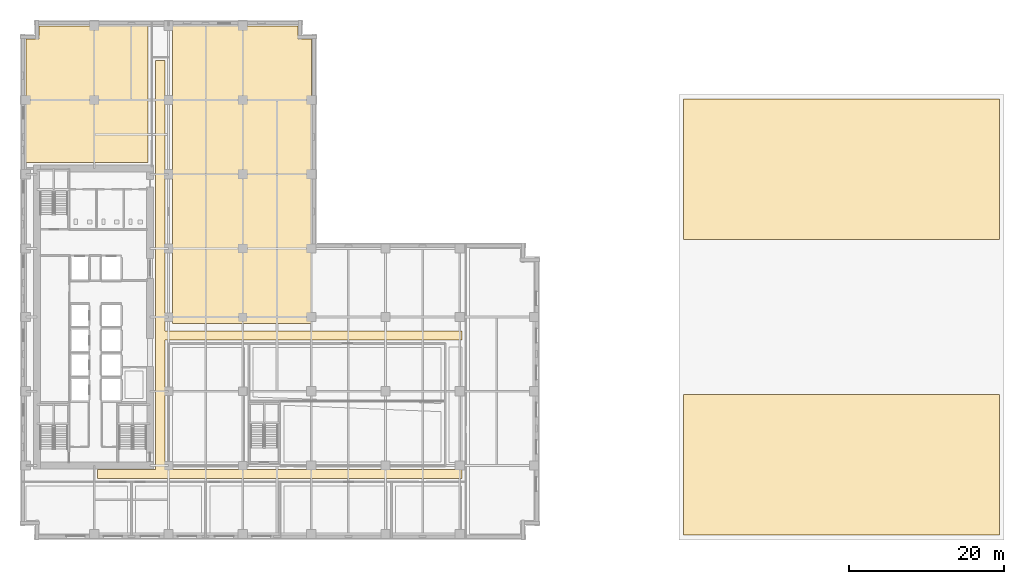
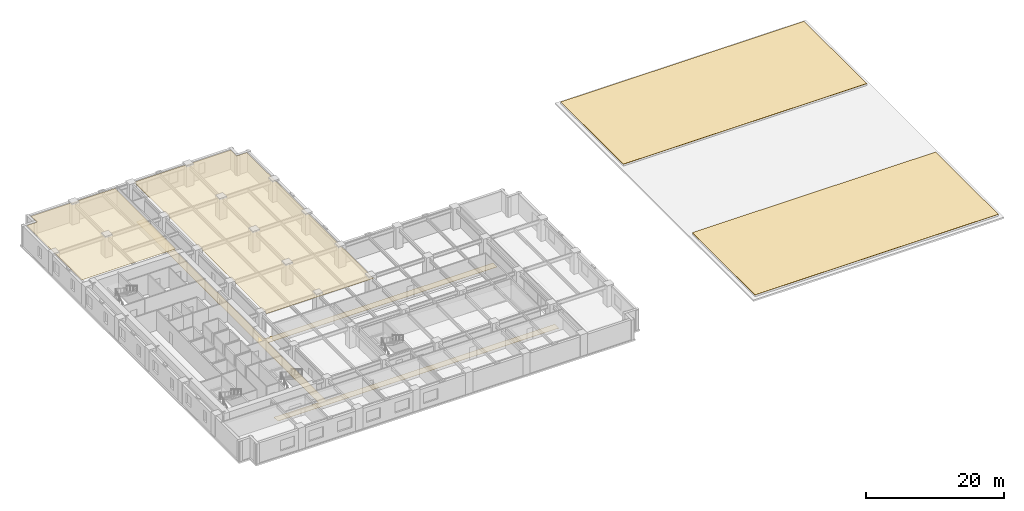
# One storey, part 13 of 14: 5 coverings.
"""IFC4 building model written with IfcOpenShell, lengths in metres."""

from ifc_helpers import new_model, si_unit, direction, frame, origin, place, context, subcontext, project, spatial, polyline, outline, extrude, material, layer, layer_set, type_object, element, save


model = new_model("IFC4")

# Units and contexts
model_context = context("Model", 3, precision=1e-05, world=origin(), true_north=direction((0.0, 1.0)))
body_context = subcontext(model_context, "Body", "Model", "MODEL_VIEW")
ifc_project = project(units=[si_unit("LENGTHUNIT", "METRE"), si_unit("AREAUNIT", "SQUARE_METRE"), si_unit("VOLUMEUNIT", "CUBIC_METRE"), si_unit("PLANEANGLEUNIT", "RADIAN"), si_unit("MASSUNIT", "GRAM", prefix="KILO")], contexts=[model_context])

# Site, building, storey
site_placement = place(None, origin())
site = spatial("IfcSite", under=ifc_project, at=site_placement, CompositionType="ELEMENT")
building_placement = place(site_placement, origin())
building = spatial("IfcBuilding", under=site, at=building_placement, Name="Norrvale University Quadrangle", CompositionType="ELEMENT")
storey_placement = place(building_placement, frame((0.0, 0.0, 24.199951171875)))
storey = spatial("IfcBuildingStorey", under=building, at=storey_placement, Name="L05", CompositionType="ELEMENT", Elevation=24.199951171875)

# Coverings
ifc_material_1 = material(Name="Perforated Acoustic Mineral Ceiling")
ifc_layer_1 = layer(ifc_material_1, 0.02490234375, Name="Perforated Acoustic Mineral Ceiling")
ifc_layer_set_1 = layer_set([ifc_layer_1], Name="Perforated Acoustic Mineral Ceiling")
covering_type_1 = type_object("IfcCoveringType", Name="Covering Acoustic Ceiling 25", PredefinedType="CEILING", material=ifc_layer_set_1)
covering_1_placement = place(storey_placement, frame((0.0, 0.0, 3.51513671875)))
element("IfcCovering", 1, at=covering_1_placement, inside=storey, type_object=covering_type_1, Name="Acoustic Ceiling RM-L05-NE01", PredefinedType="CEILING", context=body_context, shape_type="SweptSolid", body=[
    extrude(outline(polyline([(37.64990234375, 27.97998046875), (19.72998046875, 27.97998046875), (19.72998046875, 66.449951171875), (35.929931640625, 66.449951171875), (35.929931640625, 64.72998046875), (37.64990234375, 64.72998046875), (37.64990234375, 27.97998046875)])), origin(), (0.0, 0.0, 1.0), 0.02490234375),
])
covering_2_placement = place(storey_placement, frame((0.0, 0.0, 3.51513671875)))
element("IfcCovering", 2, at=covering_2_placement, inside=storey, type_object=covering_type_1, Name="Acoustic Ceiling RM-L05-NW01", PredefinedType="CEILING", context=body_context, shape_type="SweptSolid", body=[
    extrude(outline(polyline([(16.52001953125, 66.449951171875), (16.52001953125, 48.780029296875), (0.75, 48.780029296875), (0.75, 64.72998046875), (2.469970703125, 64.72998046875), (2.469970703125, 66.449951171875), (16.52001953125, 66.449951171875)])), origin(), (0.0, 0.0, 1.0), 0.02490234375),
])
ifc_material_2 = material(Name="Inverted EPDM Roofing Membrane")
ifc_layer_2 = layer(ifc_material_2, 0.044921875, Name="Inverted EPDM Roofing Membrane")
ifc_layer_set_2 = layer_set([ifc_layer_2], Name="Inverted EPDM Roofing Membrane")
covering_type_2 = type_object("IfcCoveringType", Name="Covering Roof Membrane 45", PredefinedType="ROOFING", material=ifc_layer_set_2)
covering_3_placement = place(storey_placement, frame((0.0, 0.0, 0.300048828125)))
element("IfcCovering", 3, at=covering_3_placement, inside=storey, type_object=covering_type_2, Name="Library Roof Membrane 1", PredefinedType="ROOFING", context=body_context, shape_type="SweptSolid", body=[
    extrude(outline(polyline([(85.800048828125, 0.60009765625), (126.60009765625, 0.60009765625), (126.60009765625, 18.800048828125), (85.800048828125, 18.800048828125), (85.800048828125, 0.60009765625)])), origin(), (0.0, 0.0, 1.0), 0.044921875),
])
covering_4_placement = place(storey_placement, frame((0.0, 0.0, 0.300048828125)))
element("IfcCovering", 4, at=covering_4_placement, inside=storey, type_object=covering_type_2, Name="Library Roof Membrane 2", PredefinedType="ROOFING", context=body_context, shape_type="SweptSolid", body=[
    extrude(outline(polyline([(85.800048828125, 38.800048828125), (126.60009765625, 38.800048828125), (126.60009765625, 57.0), (85.800048828125, 57.0), (85.800048828125, 38.800048828125)])), origin(), (0.0, 0.0, 1.0), 0.044921875),
])
ifc_material_3 = material(Name="Polished Terrazzo Flooring")
ifc_layer_3 = layer(ifc_material_3, 0.02490234375, Name="Polished Terrazzo Flooring")
ifc_layer_set_3 = layer_set([ifc_layer_3], Name="Polished Terrazzo Flooring")
covering_type_3 = type_object("IfcCoveringType", Name="Covering Terrazzo Floor 30", PredefinedType="FLOORING", material=ifc_layer_set_3)
covering_5_placement = place(storey_placement, origin())
element("IfcCovering", 5, at=covering_5_placement, inside=storey, type_object=covering_type_3, Name="Terrazzo Flooring RM-L05-CORR1", PredefinedType="FLOORING", context=body_context, shape_type="SweptSolid", body=[
    extrude(outline(polyline([(10.050048828125, 7.949951171875), (10.050048828125, 9.10009765625), (17.5, 9.10009765625), (17.5, 61.949951171875), (18.75, 61.949951171875), (18.75, 27.0), (57.14990234375, 27.0), (57.14990234375, 25.85009765625), (18.75, 25.85009765625), (18.75, 9.10009765625), (57.14990234375, 9.10009765625), (57.14990234375, 7.949951171875), (10.050048828125, 7.949951171875)])), origin(), (0.0, 0.0, 1.0), 0.025146484375),
])

save(model, "model.ifc")
